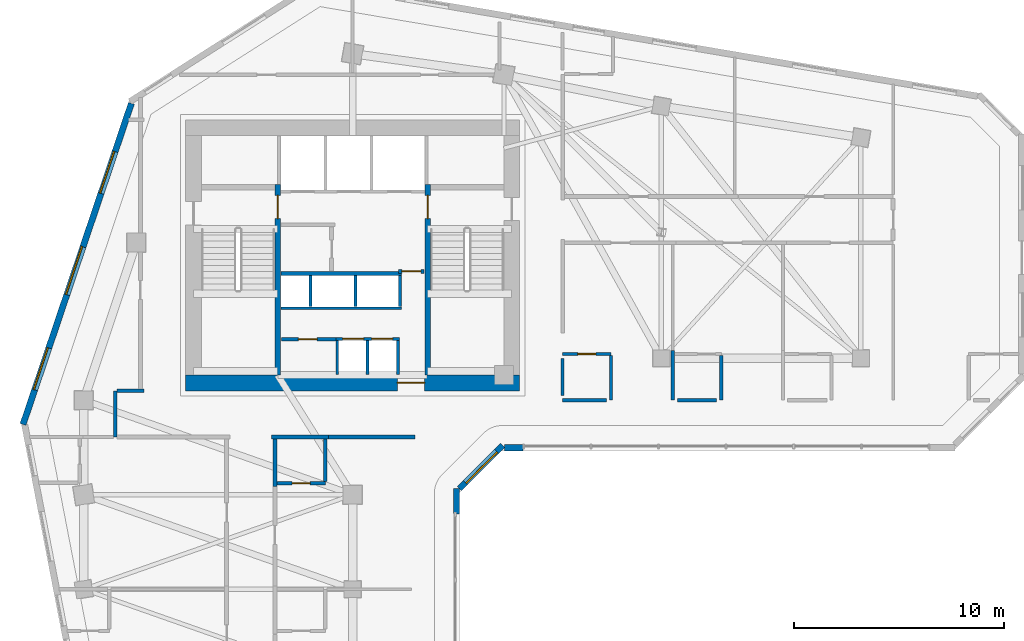
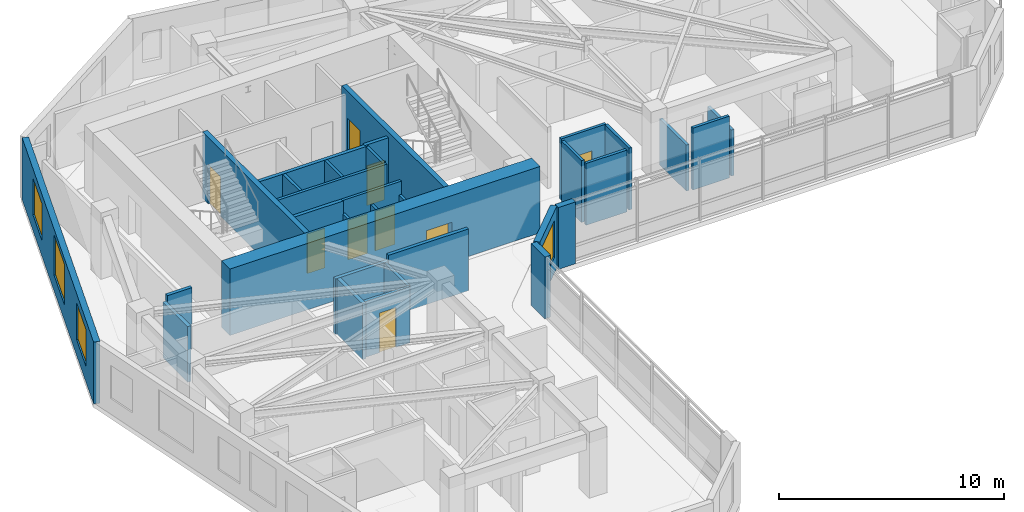
# One storey, part 6 of 14: 32 walls, 9 doors, 4 windows, 13 openings.
"""IFC4 building model written with IfcOpenShell, lengths in metres."""

import ifcopenshell
import ifcopenshell.guid

model = None  # the IFC model being written
_history = None  # IfcOwnerHistory: only IFC2X3 demands one
_inside = {}  # id of a spatial element -> (the spatial element, [elements in it])
_under = {}  # id of a project, library or spatial element -> (it, [spatial elements below it])
_declared = {}  # id of a project -> (the project, [libraries it declares])
_typed = {}  # id of a type object -> (the type object, [elements of that type])
_made_of = {}  # id of a material, layer set ... -> (it, [elements and type objects made of it])


def new_model(schema):
    """Start an empty IFC model of exactly this schema.

    Asked for "IFC4X3", IfcOpenShell would pick the latest addendum, in which some entities
    have other attributes; the version numbers below select the first issue.
    IFC2X3 requires an IfcOwnerHistory on every rooted entity: one is made here for all.
    """
    global model, _history
    if schema == "IFC4X3":
        model = ifcopenshell.file(schema_version=(4, 3, 0, 0))
    else:
        model = ifcopenshell.file(schema=schema)
    _inside.clear()
    _under.clear()
    _declared.clear()
    _typed.clear()
    _made_of.clear()
    _history = None
    if model.schema == "IFC2X3":
        org = make("IfcOrganization", Name="unknown")
        user = make(
            "IfcPersonAndOrganization",
            ThePerson=make("IfcPerson", FamilyName="unknown"),
            TheOrganization=org,
        )
        app = make(
            "IfcApplication",
            ApplicationDeveloper=org,
            Version="unknown",
            ApplicationFullName="unknown",
            ApplicationIdentifier="unknown",
        )
        _history = make(
            "IfcOwnerHistory",
            OwningUser=user,
            OwningApplication=app,
            ChangeAction="ADDED",
            CreationDate=0,
        )
    return model


def make(cls, **values):
    """One entity of the class cls with the attributes given. An attribute that is None is left unset."""
    return model.create_entity(
        cls, **{name: value for name, value in values.items() if value is not None}
    )


def rooted(cls, **values):
    """An entity with a GlobalId (a new one), such as an element, a storey or a relation."""
    return make(cls, GlobalId=ifcopenshell.guid.new(), OwnerHistory=_history, **values)


def si_unit(unit_type, name, prefix=None):
    """IfcSIUnit, for example si_unit("LENGTHUNIT", "METRE", prefix="MILLI")."""
    return make("IfcSIUnit", UnitType=unit_type, Prefix=prefix, Name=name)


def assignment(units):
    """IfcUnitAssignment: the units of a project."""
    return None if units is None else make("IfcUnitAssignment", Units=units)


def point(xyz):
    """IfcCartesianPoint."""
    return None if xyz is None else make("IfcCartesianPoint", Coordinates=xyz)


def direction(xyz):
    """IfcDirection."""
    return None if xyz is None else make("IfcDirection", DirectionRatios=xyz)


def frame(location, z_axis=None, x_axis=None):
    """IfcAxis2Placement3D, a coordinate frame: its origin and axes. An axis left out is left unset."""
    return make(
        "IfcAxis2Placement3D",
        Location=point(location),
        Axis=direction(z_axis),
        RefDirection=direction(x_axis),
    )


def frame_2d(location, x_axis=None):
    """IfcAxis2Placement2D, a coordinate frame in the plane: its origin and x axis."""
    return make(
        "IfcAxis2Placement2D", Location=point(location), RefDirection=direction(x_axis)
    )


def origin():
    """The frame at (0, 0, 0) with its axes left unset."""
    return frame((0.0, 0.0, 0.0))


def place(relative_to, where):
    """IfcLocalPlacement: puts the frame where relative to a parent placement (None: the world)."""
    return make(
        "IfcLocalPlacement", PlacementRelTo=relative_to, RelativePlacement=where
    )


def context(
    kind, dimensions, precision=None, world=None, true_north=None, identifier=None
):
    """IfcGeometricRepresentationContext, for example the 3D "Model" context."""
    return make(
        "IfcGeometricRepresentationContext",
        ContextIdentifier=identifier,
        ContextType=kind,
        CoordinateSpaceDimension=dimensions,
        Precision=precision,
        WorldCoordinateSystem=world,
        TrueNorth=true_north,
    )


def subcontext(parent, identifier, kind, view, scale=None):
    """IfcGeometricRepresentationSubContext, for example "Body" below "Model"."""
    return make(
        "IfcGeometricRepresentationSubContext",
        ContextIdentifier=identifier,
        ContextType=kind,
        ParentContext=parent,
        TargetScale=scale,
        TargetView=view,
    )


def project(units=None, contexts=None):
    """IfcProject with its units and contexts."""
    return rooted(
        "IfcProject",
        Name="project",
        RepresentationContexts=contexts,
        UnitsInContext=assignment(units),
    )


def spatial(cls, under=None, at=None, **own):
    """A site, building, storey or space (cls), placed at a placement, below another one or the project."""
    s = rooted(cls, ObjectPlacement=at, **own)
    if under is not None:
        _under.setdefault(under.id(), (under, []))[1].append(s)
    return s


def profile(cls, at=None, kind="AREA", **sizes):
    """A parametric profile (cls). Its sizes go by their IFC names, for example OverallWidth=200.0."""
    return make(cls, ProfileType=kind, Position=at, **sizes)


def rectangle(**sizes):
    """IfcRectangleProfileDef."""
    return profile("IfcRectangleProfileDef", **sizes)


def extrude(swept, where, along, depth):
    """IfcExtrudedAreaSolid: the profile swept, set in the frame where, extruded along a direction by depth."""
    return make(
        "IfcExtrudedAreaSolid",
        SweptArea=swept,
        Position=where,
        ExtrudedDirection=direction(along),
        Depth=depth,
    )


def shape(context_of_items, identifier, shape_type, items):
    """IfcShapeRepresentation: the items that make up one representation, for example the "Body"."""
    return make(
        "IfcShapeRepresentation",
        ContextOfItems=context_of_items,
        RepresentationIdentifier=identifier,
        RepresentationType=shape_type,
        Items=items,
    )


def source(mapping_origin, context_of_items, identifier, shape_type, items):
    """IfcRepresentationMap: a shape defined once, which mapped items show again and again."""
    return make(
        "IfcRepresentationMap",
        MappingOrigin=mapping_origin,
        MappedRepresentation=shape(context_of_items, identifier, shape_type, items),
    )


def transform(
    local_origin,
    x_axis=None,
    y_axis=None,
    z_axis=None,
    scale=None,
    scale2=None,
    scale3=None,
    uniform=True,
):
    """IfcCartesianTransformationOperator3D, or its non-uniform kind. x_axis, y_axis, z_axis: its Axis1, 2, 3."""
    if uniform:
        return make(
            "IfcCartesianTransformationOperator3D",
            Axis1=direction(x_axis),
            Axis2=direction(y_axis),
            LocalOrigin=point(local_origin),
            Scale=scale,
            Axis3=direction(z_axis),
        )
    return make(
        "IfcCartesianTransformationOperator3DnonUniform",
        Axis1=direction(x_axis),
        Axis2=direction(y_axis),
        LocalOrigin=point(local_origin),
        Scale=scale,
        Axis3=direction(z_axis),
        Scale2=scale2,
        Scale3=scale3,
    )


def mapped(mapping_source, mapping_target):
    """IfcMappedItem: shows the shape of a source again, moved by a transform."""
    return make(
        "IfcMappedItem", MappingSource=mapping_source, MappingTarget=mapping_target
    )


def material(Name=None, Category=None):
    """IfcMaterial."""
    return make("IfcMaterial", Name=Name, Category=Category)


def layer(
    of_material, thickness, ventilated=None, Name=None, Category=None, Priority=None
):
    """IfcMaterialLayer: one layer of a wall or slab, of a material (None: an air gap)."""
    return make(
        "IfcMaterialLayer",
        Material=of_material,
        LayerThickness=thickness,
        IsVentilated=ventilated,
        Name=Name,
        Category=Category,
        Priority=Priority,
    )


def layer_set(layers, Name=None):
    """IfcMaterialLayerSet."""
    return make("IfcMaterialLayerSet", MaterialLayers=layers, LayerSetName=Name)


def made_of(thing, what):
    """Note that an element or type object is made of a material, layer set ...; save() writes the relation."""
    if what is not None:
        _made_of.setdefault(what.id(), (what, []))[1].append(thing)
    return thing


def type_object(cls, material=None, **own):
    """A type object (cls), such as IfcWallType, which elements share."""
    return made_of(rooted(cls, **own), material)


def element(
    cls,
    number,
    at=None,
    inside=None,
    cuts=None,
    type_object=None,
    material=None,
    context=None,
    identifier="Body",
    shape_type=None,
    held_by="IfcProductDefinitionShape",
    body=None,
    shapes=None,
    **own,
):
    """One element of the class cls, such as IfcWall. Its Tag is "e" and its number.

    at: its placement. inside: the storey or other place that contains it. cuts: it is an
    opening in that element (IfcRelVoidsElement). A single representation is given by context,
    identifier, shape_type and body (its items); several are given by shapes. held_by: the class
    of the entity that holds the representations. save() writes the other relations.
    """
    e = rooted(cls, Tag="e%d" % number, ObjectPlacement=at, **own)
    if body is not None:
        shapes = [shape(context, identifier, shape_type, body)]
    if shapes is not None:
        e.Representation = make(held_by, Representations=shapes)
    if inside is not None:
        _inside.setdefault(inside.id(), (inside, []))[1].append(e)
    if cuts is not None:
        rooted(
            "IfcRelVoidsElement", RelatingBuildingElement=cuts, RelatedOpeningElement=e
        )
    if type_object is not None:
        _typed.setdefault(type_object.id(), (type_object, []))[1].append(e)
    return made_of(e, material)


def fill(opening, filler):
    """IfcRelFillsElement: the door or window that sits in an opening."""
    return rooted(
        "IfcRelFillsElement",
        RelatingOpeningElement=opening,
        RelatedBuildingElement=filler,
    )


def aggregate(whole, parts):
    """IfcRelAggregates: a whole, such as a stair, and the parts it consists of."""
    return rooted("IfcRelAggregates", RelatingObject=whole, RelatedObjects=parts)


def save(model, path):
    """Write the relations noted so far, then the file.

    IfcRelAggregates (storeys below a building ...), IfcRelContainedInSpatialStructure (elements
    in a storey), IfcRelDefinesByType, IfcRelAssociatesMaterial and IfcRelDeclares: one each for
    every whole, place, type object, material and project.
    """
    for whole, parts in _under.values():
        aggregate(whole, parts)
    for where, things in _inside.values():
        rooted(
            "IfcRelContainedInSpatialStructure",
            RelatedElements=things,
            RelatingStructure=where,
        )
    for kind, things in _typed.values():
        rooted("IfcRelDefinesByType", RelatedObjects=things, RelatingType=kind)
    for what, things in _made_of.values():
        rooted("IfcRelAssociatesMaterial", RelatedObjects=things, RelatingMaterial=what)
    for by, libraries in _declared.values():
        rooted("IfcRelDeclares", RelatingContext=by, RelatedDefinitions=libraries)
    model.write(path)


model = new_model("IFC4")

# Units and contexts
model_context = context("Model", 3, precision=1e-05, world=origin(), true_north=direction((0.0, 1.0)))
body_context = subcontext(model_context, "Body", "Model", "MODEL_VIEW")
ifc_project = project(units=[si_unit("LENGTHUNIT", "METRE"), si_unit("AREAUNIT", "SQUARE_METRE"), si_unit("VOLUMEUNIT", "CUBIC_METRE"), si_unit("PLANEANGLEUNIT", "RADIAN"), si_unit("MASSUNIT", "GRAM", prefix="KILO")], contexts=[model_context])

# Site, building, storey
site_placement = place(None, origin())
site = spatial("IfcSite", under=ifc_project, at=site_placement, CompositionType="ELEMENT")
building_placement = place(site_placement, origin())
building = spatial("IfcBuilding", under=site, at=building_placement, Name="Calvemar Wedge Station Tower", CompositionType="ELEMENT")
storey_placement = place(building_placement, frame((0.0, 0.0, 128.60009765625)))
storey = spatial("IfcBuildingStorey", under=building, at=storey_placement, Name="L31", CompositionType="ELEMENT", Elevation=128.60009765625)

# Wall, opening, door
ifc_material_1 = material(Name="Concrete C50", Category="concrete")
ifc_layer_1 = layer(ifc_material_1, 0.260009765625)
ifc_layer_set_1 = layer_set([ifc_layer_1], Name="Concrete C50")
wall_type_1 = type_object("IfcWallType", Name="SW-CORE-260", PredefinedType="SHEAR", material=ifc_layer_set_1)
wall_1_placement = place(storey_placement, frame((20.22998046875, 34.199951171875, 0.0), z_axis=(0.0, 0.0, 1.0), x_axis=(0.0, 1.0, 0.0)))
wall_1 = element("IfcWall", 1, at=wall_1_placement, inside=storey, type_object=wall_type_1, Name="Storey L31 Core Shear Wall SPINE-W", PredefinedType="SHEAR", context=body_context, shape_type="SweptSolid", body=[
    extrude(rectangle(XDim=9.06005859375, YDim=0.260009765625, at=frame_2d((4.530029296875, 0.0))), origin(), (0.0, 0.0, 1.0), 3.599853515625),
])
shared_shape_1 = source(origin(), body_context, "Body", "SweptSolid", [
    extrude(rectangle(XDim=1.10009765625, YDim=2.14990234375, at=frame_2d((0.550048828125, 1.074951171875))), frame((0.0, 0.14013671875, 0.0), z_axis=(0.0, -1.0, 0.0), x_axis=(1.0, 0.0, 0.0)), (0.0, 0.0, 1.0), 0.280029296875),
])
opening_1_placement = place(wall_1_placement, frame((7.449951171875, 0.0, 0.0)))
opening_1 = element("IfcOpeningElement", 2, at=opening_1_placement, cuts=wall_1, Name="Opening FD-90", PredefinedType="OPENING", context=body_context, shape_type="MappedRepresentation", body=[
    mapped(shared_shape_1, transform((0.0, 0.0, 0.0), scale=1.0)),
])
ifc_material_2 = material(Name="Galvanized fire-rated steel door leaf P-90", Category="steel")
door_type_1 = type_object("IfcDoorType", Name="DR-FD90-1100", OperationType="NOTDEFINED", PredefinedType="DOOR", material=ifc_material_2)
shared_shape_2 = source(origin(), body_context, "Body", "SweptSolid", [
    extrude(rectangle(XDim=1.10009765625, YDim=2.14990234375, at=frame_2d((0.550048828125, 1.074951171875))), frame((0.0, 0.02490234375, 0.0), z_axis=(0.0, -1.0, 0.0), x_axis=(1.0, 0.0, 0.0)), (0.0, 0.0, 1.0), 0.050048828125),
])
door_1_placement = place(opening_1_placement, origin())
door_1 = element("IfcDoor", 3, at=door_1_placement, inside=storey, type_object=door_type_1, Name="L31 FF Lobby to Stair ST-C1 Door", OperationType="SINGLE_SWING_RIGHT", OverallHeight=2.14990234375, OverallWidth=1.10009765625, PredefinedType="DOOR", context=body_context, shape_type="MappedRepresentation", body=[
    mapped(shared_shape_2, transform((0.0, 0.0, 0.0), scale=1.0)),
])
fill(opening_1, door_1)

wall_2_placement = place(storey_placement, frame((27.3701171875, 34.199951171875, 0.0), z_axis=(0.0, 0.0, 1.0), x_axis=(0.0, 1.0, 0.0)))
wall_2 = element("IfcWall", 4, at=wall_2_placement, inside=storey, type_object=wall_type_1, Name="Storey L31 Core Shear Wall SPINE-E", PredefinedType="SHEAR", context=body_context, shape_type="SweptSolid", body=[
    extrude(rectangle(XDim=9.06005859375, YDim=0.260009765625, at=frame_2d((4.530029296875, 0.0))), origin(), (0.0, 0.0, 1.0), 3.599853515625),
])
opening_2_placement = place(wall_2_placement, frame((7.449951171875, 0.0, 0.0)))
opening_2 = element("IfcOpeningElement", 5, at=opening_2_placement, cuts=wall_2, Name="Opening FD-90", PredefinedType="OPENING", context=body_context, shape_type="MappedRepresentation", body=[
    mapped(shared_shape_1, transform((0.0, 0.0, 0.0), scale=1.0)),
])
door_2_placement = place(opening_2_placement, origin())
door_2 = element("IfcDoor", 6, at=door_2_placement, inside=storey, type_object=door_type_1, Name="L31 FF Lobby to Stair ST-C2 Door", OperationType="SINGLE_SWING_LEFT", OverallHeight=2.14990234375, OverallWidth=1.10009765625, PredefinedType="DOOR", context=body_context, shape_type="MappedRepresentation", body=[
    mapped(shared_shape_2, transform((0.0, 0.0, 0.0), scale=1.0)),
])
fill(opening_2, door_2)

ifc_material_3 = material(Name="Concrete C70", Category="concrete")
ifc_layer_2 = layer(ifc_material_3, 0.75)
ifc_layer_set_2 = layer_set([ifc_layer_2], Name="Concrete C70")
wall_type_2 = type_object("IfcWallType", Name="SW-CORE-750", PredefinedType="SHEAR", material=ifc_layer_set_2)
wall_3_placement = place(storey_placement, frame((15.85009765625, 33.824951171875, 0.0), z_axis=(0.0, 0.0, 1.0), x_axis=(1.0, 0.0, 0.0)))
wall_3 = element("IfcWall", 7, at=wall_3_placement, inside=storey, type_object=wall_type_2, Name="Storey L31 Core Shear Wall S", PredefinedType="SHEAR", context=body_context, shape_type="SweptSolid", body=[
    extrude(rectangle(XDim=15.89990234375, YDim=0.75, at=frame_2d((7.949951171875, 0.0))), origin(), (0.0, 0.0, 1.0), 3.599853515625),
])
shared_shape_3 = source(origin(), body_context, "Body", "SweptSolid", [
    extrude(rectangle(XDim=1.300048828125, YDim=2.14990234375, at=frame_2d((0.64990234375, 1.074951171875))), frame((0.0, 0.385009765625, 0.0), z_axis=(0.0, -1.0, 0.0), x_axis=(1.0, 0.0, 0.0)), (0.0, 0.0, 1.0), 0.77001953125),
])
opening_3_placement = place(wall_3_placement, frame((10.080078125, 0.0, 0.0)))
opening_3 = element("IfcOpeningElement", 8, at=opening_3_placement, cuts=wall_3, Name="Opening DD-130", PredefinedType="OPENING", context=body_context, shape_type="MappedRepresentation", body=[
    mapped(shared_shape_3, transform((0.0, 0.0, 0.0), scale=1.0)),
])
ifc_material_4 = material(Name="Double-leaf lift lobby fire door EI 60")
door_type_2 = type_object("IfcDoorType", Name="DR-DBL-1300", OperationType="DOUBLE_DOOR_SINGLE_SWING", PredefinedType="DOOR", material=ifc_material_4)
shared_shape_4 = source(origin(), body_context, "Body", "SweptSolid", [
    extrude(rectangle(XDim=1.300048828125, YDim=2.14990234375, at=frame_2d((0.64990234375, 1.074951171875))), frame((0.0, 0.02490234375, 0.0), z_axis=(0.0, -1.0, 0.0), x_axis=(1.0, 0.0, 0.0)), (0.0, 0.0, 1.0), 0.050048828125),
])
door_3_placement = place(opening_3_placement, origin())
door_3 = element("IfcDoor", 9, at=door_3_placement, inside=storey, type_object=door_type_2, Name="L31 Passenger Lift Lobby Door", OperationType="DOUBLE_DOOR_SINGLE_SWING", OverallHeight=2.14990234375, OverallWidth=1.300048828125, PredefinedType="DOOR", context=body_context, shape_type="MappedRepresentation", body=[
    mapped(shared_shape_4, transform((0.0, 0.0, 0.0), scale=1.0)),
])
fill(opening_3, door_3)

ifc_material_5 = material(Name="Double-stud fire-rated corridor partition")
ifc_layer_3 = layer(ifc_material_5, 0.179931640625)
ifc_layer_set_3 = layer_set([ifc_layer_3], Name="Double-stud fire-rated corridor partition")
wall_type_3 = type_object("IfcWallType", Name="W-CORR-180", PredefinedType="PARTITIONING", material=ifc_layer_set_3)
wall_4_placement = place(storey_placement, frame((27.199951171875, 39.1298828125, 0.0), z_axis=(0.0, 0.0, 1.0), x_axis=(-1.0, 0.0, 0.0)))
wall_4 = element("IfcWall", 10, at=wall_4_placement, inside=storey, type_object=wall_type_3, Name="Storey L31 Interior Partition WL-L31-003", PredefinedType="PARTITIONING", context=body_context, shape_type="SweptSolid", body=[
    extrude(rectangle(XDim=1.2099609375, YDim=0.179931640625, at=frame_2d((0.60498046875, 0.0))), origin(), (0.0, 0.0, 1.0), 3.349853515625),
])
shared_shape_5 = source(origin(), body_context, "Body", "SweptSolid", [
    extrude(rectangle(XDim=0.89990234375, YDim=2.14990234375, at=frame_2d((0.449951171875, 1.074951171875))), frame((0.0, 0.10009765625, 0.0), z_axis=(0.0, -1.0, 0.0), x_axis=(1.0, 0.0, 0.0)), (0.0, 0.0, 1.0), 0.199951171875),
])
opening_4_placement = place(wall_4_placement, frame((0.155029296875, 0.0, 0.0)))
opening_4 = element("IfcOpeningElement", 11, at=opening_4_placement, cuts=wall_4, Name="Opening FD-60", PredefinedType="OPENING", context=body_context, shape_type="MappedRepresentation", body=[
    mapped(shared_shape_5, transform((0.0, 0.0, 0.0), scale=1.0)),
])
ifc_material_6 = material(Name="Fire-rated acoustic timber-core entrance door EI 60", Category="wood")
door_type_3 = type_object("IfcDoorType", Name="DR-FD60-900", OperationType="NOTDEFINED", PredefinedType="DOOR", material=ifc_material_6)
shared_shape_6 = source(origin(), body_context, "Body", "SweptSolid", [
    extrude(rectangle(XDim=0.89990234375, YDim=2.14990234375, at=frame_2d((0.449951171875, 1.074951171875))), frame((0.0, 0.02490234375, 0.0), z_axis=(0.0, -1.0, 0.0), x_axis=(1.0, 0.0, 0.0)), (0.0, 0.0, 1.0), 0.050048828125),
])
door_4_placement = place(opening_4_placement, origin())
door_4 = element("IfcDoor", 12, at=door_4_placement, inside=storey, type_object=door_type_3, Name="L31 Core Service Lobby Door", OperationType="SINGLE_SWING_LEFT", OverallHeight=2.14990234375, OverallWidth=0.89990234375, PredefinedType="DOOR", context=body_context, shape_type="MappedRepresentation", body=[
    mapped(shared_shape_6, transform((0.0, 0.0, 0.0), scale=1.0)),
])
fill(opening_4, door_4)

wall_5_placement = place(storey_placement, frame((20.419921875, 35.89990234375, 0.0), z_axis=(0.0, 0.0, 1.0), x_axis=(1.0, 0.0, 0.0)))
wall_5 = element("IfcWall", 13, at=wall_5_placement, inside=storey, type_object=wall_type_3, Name="Storey L31 Interior Partition WL-L31-004", PredefinedType="PARTITIONING", context=body_context, shape_type="SweptSolid", body=[
    extrude(rectangle(XDim=2.6201171875, YDim=0.179931640625, at=frame_2d((1.31005859375, 0.0))), origin(), (0.0, 0.0, 1.0), 3.349853515625),
])
opening_5_placement = place(wall_5_placement, frame((0.795654296875, 0.0, 0.0)))
opening_5 = element("IfcOpeningElement", 14, at=opening_5_placement, cuts=wall_5, Name="Opening FD-60", PredefinedType="OPENING", context=body_context, shape_type="MappedRepresentation", body=[
    mapped(shared_shape_5, transform((0.0, 0.0, 0.0), scale=1.0)),
])
door_5_placement = place(opening_5_placement, origin())
door_5 = element("IfcDoor", 15, at=door_5_placement, inside=storey, type_object=door_type_3, Name="L31 Housekeeping Store Door", OperationType="SINGLE_SWING_RIGHT", OverallHeight=2.14990234375, OverallWidth=0.89990234375, PredefinedType="DOOR", context=body_context, shape_type="MappedRepresentation", body=[
    mapped(shared_shape_6, transform((0.0, 0.0, 0.0), scale=1.0)),
])
fill(opening_5, door_5)

# Walls
wall_6_placement = place(storey_placement, frame((12.5, 31.25, 0.0), z_axis=(0.0, 0.0, 1.0), x_axis=(0.0, 1.0, 0.0)))
element("IfcWall", 16, at=wall_6_placement, inside=storey, type_object=wall_type_3, Name="Storey L31 Interior Partition WL-L31-005", PredefinedType="PARTITIONING", context=body_context, shape_type="SweptSolid", body=[
    extrude(rectangle(XDim=2.199951171875, YDim=0.179931640625, at=frame_2d((1.10009765625, 0.0))), origin(), (0.0, 0.0, 1.0), 3.018798828125),
])
wall_7_placement = place(storey_placement, frame((12.593994140625, 33.449951171875, 0.0), z_axis=(0.0, 0.0, 1.0), x_axis=(1.0, 0.0, 0.0)))
element("IfcWall", 17, at=wall_7_placement, inside=storey, type_object=wall_type_3, Name="Storey L31 Interior Partition WL-L31-006", PredefinedType="PARTITIONING", context=body_context, shape_type="SweptSolid", body=[
    extrude(rectangle(XDim=1.26611328125, YDim=0.179931640625, at=frame_2d((0.633056640625, 0.0))), origin(), (0.0, 0.0, 1.0), 3.349853515625),
])
wall_8_placement = place(storey_placement, frame((22.659912109375, 31.25, 0.0), z_axis=(0.0, 0.0, 1.0), x_axis=(-1.0, 0.0, 0.0)))
element("IfcWall", 18, at=wall_8_placement, inside=storey, type_object=wall_type_3, Name="Storey L31 Interior Partition WL-L31-008", PredefinedType="PARTITIONING", context=body_context, shape_type="SweptSolid", body=[
    extrude(rectangle(XDim=2.719970703125, YDim=0.179931640625, at=frame_2d((1.35986328125, 0.0))), origin(), (0.0, 0.0, 1.0), 3.018798828125),
])
wall_9_placement = place(storey_placement, frame((26.760009765625, 31.25, 0.0), z_axis=(0.0, 0.0, 1.0), x_axis=(-1.0, 0.0, 0.0)))
element("IfcWall", 19, at=wall_9_placement, inside=storey, type_object=wall_type_3, Name="Storey L31 Interior Partition WL-L31-009", PredefinedType="PARTITIONING", context=body_context, shape_type="SweptSolid", body=[
    extrude(rectangle(XDim=4.097900390625, YDim=0.179931640625, at=frame_2d((2.048828125, 0.0))), origin(), (0.0, 0.0, 1.0), 3.349853515625),
])
wall_10_placement = place(storey_placement, frame((20.10009765625, 31.156005859375, 0.0), z_axis=(0.0, 0.0, 1.0), x_axis=(0.0, -1.0, 0.0)))
element("IfcWall", 20, at=wall_10_placement, inside=storey, type_object=wall_type_3, Name="Storey L31 Interior Partition WL-L31-050", PredefinedType="PARTITIONING", context=body_context, shape_type="SweptSolid", body=[
    extrude(rectangle(XDim=2.26611328125, YDim=0.179931640625, at=frame_2d((1.133056640625, 0.0))), origin(), (0.0, 0.0, 1.0), 3.018798828125),
])
ifc_material_7 = material(Name="Precast concrete C45", Category="concrete")
ifc_layer_4 = layer(ifc_material_7, 0.300048828125)
ifc_layer_set_4 = layer_set([ifc_layer_4], Name="Precast concrete C45")
wall_type_4 = type_object("IfcWallType", Name="W-EXT-GFRC-300", PredefinedType="SOLIDWALL", material=ifc_layer_set_4)
wall_11_placement = place(storey_placement, frame((28.74609375, 27.57666015625, 0.0), z_axis=(0.0, 0.0, 1.0), x_axis=(0.0, 1.0, 0.0)))
element("IfcWall", 21, at=wall_11_placement, inside=storey, type_object=wall_type_4, Name="Storey L31 Bronze GFRC Corner Pier 4B", PredefinedType="SOLIDWALL", context=body_context, shape_type="SweptSolid", body=[
    extrude(rectangle(XDim=1.2275390625, YDim=0.300048828125, at=frame_2d((0.61376953125, 0.0))), origin(), (0.0, 0.0, 1.0), 3.349853515625),
])

# Wall, opening, window
wall_12_placement = place(storey_placement, frame((28.884033203125, 28.7919921875, 0.0), z_axis=(0.0, 0.0, 1.0), x_axis=(0.707064797706, 0.707148762175, 0.0)))
wall_12 = element("IfcWall", 22, at=wall_12_placement, inside=storey, type_object=wall_type_4, Name="Storey L31 Bronze GFRC Exterior Wall 5", PredefinedType="SOLIDWALL", context=body_context, shape_type="SweptSolid", body=[
    extrude(rectangle(XDim=2.90771484375, YDim=0.300048828125, at=frame_2d((1.453857421875, 0.0))), origin(), (0.0, 0.0, 1.0), 3.349853515625),
])
shared_shape_7 = source(origin(), body_context, "Body", "SweptSolid", [
    extrude(rectangle(XDim=2.10009765625, YDim=2.0, at=frame_2d((1.050048828125, 1.0))), frame((0.0, 0.16015625, 0.0), z_axis=(0.0, -1.0, 0.0), x_axis=(1.0, 0.0, 0.0)), (0.0, 0.0, 1.0), 0.320068359375),
])
opening_6_placement = place(wall_12_placement, frame((0.404052734375, 0.0, 0.85009765625)))
opening_6 = element("IfcOpeningElement", 23, at=opening_6_placement, cuts=wall_12, Name="Opening W4", PredefinedType="OPENING", context=body_context, shape_type="MappedRepresentation", body=[
    mapped(shared_shape_7, transform((0.0, 0.0, 0.0), scale=1.0)),
])
ifc_material_8 = material(Name="Low-E laminated insulated glass", Category="glass")
window_type_1 = type_object("IfcWindowType", Name="WIN-EXT-4", PartitioningType="SINGLE_PANEL", PredefinedType="WINDOW", material=ifc_material_8)
shared_shape_8 = source(origin(), body_context, "Body", "SweptSolid", [
    extrude(rectangle(XDim=2.10009765625, YDim=2.0, at=frame_2d((1.050048828125, 1.0))), frame((0.0, -0.014892578125, 0.0), z_axis=(0.0, -1.0, 0.0), x_axis=(1.0, 0.0, 0.0)), (0.0, 0.0, 1.0), 0.06005859375),
])
window_1_placement = place(opening_6_placement, origin())
window_1 = element("IfcWindow", 24, at=window_1_placement, inside=storey, type_object=window_type_1, Name="Storey L31 Recessed Window 5.1", OverallHeight=2.0, OverallWidth=2.10009765625, PartitioningType="SINGLE_PANEL", PredefinedType="WINDOW", context=body_context, shape_type="MappedRepresentation", body=[
    mapped(shared_shape_8, transform((0.0, 0.0, 0.0), scale=1.0)),
])
fill(opening_6, window_1)

# Wall
wall_13_placement = place(storey_placement, frame((31.029052734375, 30.741943359375, 0.0), z_axis=(0.0, 0.0, 1.0), x_axis=(1.0, 0.0, 0.0)))
element("IfcWall", 25, at=wall_13_placement, inside=storey, type_object=wall_type_4, Name="Storey L31 Bronze GFRC Corner Pier 6A", PredefinedType="SOLIDWALL", context=body_context, shape_type="SweptSolid", body=[
    extrude(rectangle(XDim=0.88232421875, YDim=0.300048828125, at=frame_2d((0.441162109375, 0.0))), origin(), (0.0, 0.0, 1.0), 3.349853515625),
])

# Wall, openings, windows
wall_14_placement = place(storey_placement, frame((13.2685546875, 47.1337890625, 0.0), z_axis=(0.0, 0.0, 1.0), x_axis=(-0.319929596295, -0.947441319246, 0.0)))
wall_14 = element("IfcWall", 26, at=wall_14_placement, inside=storey, type_object=wall_type_4, Name="Storey L31 Bronze GFRC Exterior Wall 12", PredefinedType="SOLIDWALL", context=body_context, shape_type="SweptSolid", body=[
    extrude(rectangle(XDim=16.13427734375, YDim=0.300048828125, at=frame_2d((8.067138671875, 0.0))), origin(), (0.0, 0.0, 1.0), 3.349853515625),
])
opening_7_placement = place(wall_14_placement, frame((2.426025390625, 0.0, 0.85009765625)))
opening_7 = element("IfcOpeningElement", 27, at=opening_7_placement, cuts=wall_14, Name="Opening W4", PredefinedType="OPENING", context=body_context, shape_type="MappedRepresentation", body=[
    mapped(shared_shape_7, transform((0.0, 0.0, 0.0), scale=1.0)),
])
shared_shape_9 = source(origin(), body_context, "Body", "SweptSolid", [
    extrude(rectangle(XDim=2.39990234375, YDim=2.199951171875, at=frame_2d((1.199951171875, 1.10009765625))), frame((0.0, 0.16015625, 0.0), z_axis=(0.0, -1.0, 0.0), x_axis=(1.0, 0.0, 0.0)), (0.0, 0.0, 1.0), 0.320068359375),
])
opening_8_placement = place(wall_14_placement, frame((7.2109375, 0.0, 0.85009765625)))
opening_8 = element("IfcOpeningElement", 28, at=opening_8_placement, cuts=wall_14, Name="Opening W1", PredefinedType="OPENING", context=body_context, shape_type="MappedRepresentation", body=[
    mapped(shared_shape_9, transform((0.0, 0.0, 0.0), scale=1.0)),
])
opening_9_placement = place(wall_14_placement, frame((12.297119140625, 0.0, 0.85009765625)))
opening_9 = element("IfcOpeningElement", 29, at=opening_9_placement, cuts=wall_14, Name="Opening W4", PredefinedType="OPENING", context=body_context, shape_type="MappedRepresentation", body=[
    mapped(shared_shape_7, transform((0.0, 0.0, 0.0), scale=1.0)),
])
window_2_placement = place(opening_7_placement, origin())
window_2 = element("IfcWindow", 30, at=window_2_placement, inside=storey, type_object=window_type_1, Name="Storey L31 Recessed Window 12.1", OverallHeight=2.0, OverallWidth=2.10009765625, PartitioningType="SINGLE_PANEL", PredefinedType="WINDOW", context=body_context, shape_type="MappedRepresentation", body=[
    mapped(shared_shape_8, transform((0.0, 0.0, 0.0), scale=1.0)),
])
fill(opening_7, window_2)
window_3_placement = place(opening_9_placement, origin())
window_3 = element("IfcWindow", 31, at=window_3_placement, inside=storey, type_object=window_type_1, Name="Storey L31 Recessed Window 12.3", OverallHeight=2.0, OverallWidth=2.10009765625, PartitioningType="SINGLE_PANEL", PredefinedType="WINDOW", context=body_context, shape_type="MappedRepresentation", body=[
    mapped(shared_shape_8, transform((0.0, 0.0, 0.0), scale=1.0)),
])
fill(opening_9, window_3)
window_type_2 = type_object("IfcWindowType", Name="WIN-EXT-1", PartitioningType="SINGLE_PANEL", PredefinedType="WINDOW", material=ifc_material_8)
shared_shape_10 = source(origin(), body_context, "Body", "SweptSolid", [
    extrude(rectangle(XDim=2.39990234375, YDim=2.199951171875, at=frame_2d((1.199951171875, 1.10009765625))), frame((0.0, -0.014892578125, 0.0), z_axis=(0.0, -1.0, 0.0), x_axis=(1.0, 0.0, 0.0)), (0.0, 0.0, 1.0), 0.06005859375),
])
window_4_placement = place(opening_8_placement, origin())
window_4 = element("IfcWindow", 32, at=window_4_placement, inside=storey, type_object=window_type_2, Name="Storey L31 Recessed Window 12.2", OverallHeight=2.199951171875, OverallWidth=2.39990234375, PartitioningType="SINGLE_PANEL", PredefinedType="WINDOW", context=body_context, shape_type="MappedRepresentation", body=[
    mapped(shared_shape_10, transform((0.0, 0.0, 0.0), scale=1.0)),
])
fill(opening_8, window_4)

# Wall, openings, doors
ifc_material_9 = material(Name="Reinforced concrete blockwork lift shaft wall", Category="masonry")
ifc_layer_5 = layer(ifc_material_9, 0.139892578125)
ifc_layer_set_5 = layer_set([ifc_layer_5], Name="Reinforced concrete blockwork lift shaft wall")
wall_type_5 = type_object("IfcWallType", Name="W-LIFT-160", PredefinedType="SOLIDWALL", material=ifc_layer_set_5)
wall_15_placement = place(storey_placement, frame((23.0, 35.919921875, 0.0), z_axis=(0.0, 0.0, 1.0), x_axis=(1.0, 0.0, 0.0)))
wall_15 = element("IfcWall", 33, at=wall_15_placement, inside=storey, type_object=wall_type_5, Name="Storey L31 South Passenger Lift Bank Front Wall", PredefinedType="SOLIDWALL", context=body_context, shape_type="SweptSolid", body=[
    extrude(rectangle(XDim=3.030029296875, YDim=0.139892578125, at=frame_2d((1.51513671875, 0.0))), origin(), (0.0, 0.0, 1.0), 3.349853515625),
])
shared_shape_11 = source(origin(), body_context, "Body", "SweptSolid", [
    extrude(rectangle(XDim=1.0, YDim=2.14990234375, at=frame_2d((0.5, 1.074951171875))), frame((0.0, 0.080078125, 0.0), z_axis=(0.0, -1.0, 0.0), x_axis=(1.0, 0.0, 0.0)), (0.0, 0.0, 1.0), 0.159912109375),
])
opening_10_placement = place(wall_15_placement, frame((0.320068359375, 0.0, 0.0)))
opening_10 = element("IfcOpeningElement", 34, at=opening_10_placement, cuts=wall_15, Name="Opening LD-PAX", PredefinedType="OPENING", context=body_context, shape_type="MappedRepresentation", body=[
    mapped(shared_shape_11, transform((0.0, 0.0, 0.0), scale=1.0)),
])
opening_11_placement = place(wall_15_placement, frame((1.7099609375, 0.0, 0.0)))
opening_11 = element("IfcOpeningElement", 35, at=opening_11_placement, cuts=wall_15, Name="Opening LD-PAX", PredefinedType="OPENING", context=body_context, shape_type="MappedRepresentation", body=[
    mapped(shared_shape_11, transform((0.0, 0.0, 0.0), scale=1.0)),
])
ifc_material_10 = material(Name="Anodised bronze passenger lift sliding landing door")
door_type_4 = type_object("IfcDoorType", Name="DR-LD-PAX-1000", OperationType="SLIDING_TO_LEFT", PredefinedType="DOOR", material=ifc_material_10)
shared_shape_12 = source(origin(), body_context, "Body", "SweptSolid", [
    extrude(rectangle(XDim=1.0, YDim=2.14990234375, at=frame_2d((0.5, 1.074951171875))), frame((0.0, 0.02490234375, 0.0), z_axis=(0.0, -1.0, 0.0), x_axis=(1.0, 0.0, 0.0)), (0.0, 0.0, 1.0), 0.050048828125),
])
door_6_placement = place(opening_10_placement, origin())
door_6 = element("IfcDoor", 36, at=door_6_placement, inside=storey, type_object=door_type_4, Name="L31 Lift HL-01 Sliding Landing Door", OperationType="SLIDING_TO_LEFT", OverallHeight=2.14990234375, OverallWidth=1.0, PredefinedType="DOOR", context=body_context, shape_type="MappedRepresentation", body=[
    mapped(shared_shape_12, transform((0.0, 0.0, 0.0), scale=1.0)),
])
fill(opening_10, door_6)
door_7_placement = place(opening_11_placement, origin())
door_7 = element("IfcDoor", 37, at=door_7_placement, inside=storey, type_object=door_type_4, Name="L31 Lift HL-02 Sliding Landing Door", OperationType="SLIDING_TO_RIGHT", OverallHeight=2.14990234375, OverallWidth=1.0, PredefinedType="DOOR", context=body_context, shape_type="MappedRepresentation", body=[
    mapped(shared_shape_12, transform((0.0, 0.0, 0.0), scale=1.0)),
])
fill(opening_11, door_7)

# Walls
for number, where, z_axis, x_axis, name in (
    (38, (25.9599609375, 34.219970703125, 0.0), (0.0, 0.0, 1.0), (0.0, 1.0, 0.0), "Storey L31 South Passenger Lift Shaft Wall E"),
    (39, (23.070068359375, 34.219970703125, 0.0), (0.0, 0.0, 1.0), (0.0, 1.0, 0.0), "Storey L31 South Passenger Lift Shaft Wall W"),
    (40, (24.514892578125, 34.219970703125, 0.0), (0.0, 0.0, 1.0), (0.0, 1.0, 0.0), "Storey L31 South Passenger Lift Shaft Wall D1"),
):
    element("IfcWall", number, at=place(storey_placement, frame(where, z_axis=z_axis, x_axis=x_axis)), inside=storey, type_object=wall_type_5, Name=name, PredefinedType="SOLIDWALL", context=body_context, shape_type="SweptSolid", body=[
        extrude(rectangle(XDim=1.6201171875, YDim=0.139892578125, at=frame_2d((0.81005859375, 0.0))), origin(), (0.0, 0.0, 1.0), 2.641845703125),
    ])
wall_16_placement = place(storey_placement, frame((20.3798828125, 37.3798828125, 0.0), z_axis=(0.0, 0.0, 1.0), x_axis=(1.0, 0.0, 0.0)))
element("IfcWall", 41, at=wall_16_placement, inside=storey, type_object=wall_type_5, Name="Storey L31 Upper Passenger Lift Bank Front Wall", PredefinedType="SOLIDWALL", context=body_context, shape_type="SweptSolid", body=[
    extrude(rectangle(XDim=5.75, YDim=0.139892578125, at=frame_2d((2.875, 0.0))), origin(), (0.0, 0.0, 1.0), 3.349853515625),
])
for number, where, z_axis, x_axis, name in (
    (42, (26.06005859375, 37.4599609375, 0.0), (0.0, 0.0, 1.0), (0.0, 1.0, 0.0), "Storey L31 Upper Passenger Lift Shaft Wall E"),
    (43, (21.794921875, 37.4599609375, 0.0), (0.0, 0.0, 1.0), (0.0, 1.0, 0.0), "Storey L31 Upper Passenger Lift Shaft Wall D1"),
    (44, (23.93505859375, 37.4599609375, 0.0), (0.0, 0.0, 1.0), (0.0, 1.0, 0.0), "Storey L31 Upper Passenger Lift Shaft Wall D2"),
):
    element("IfcWall", number, at=place(storey_placement, frame(where, z_axis=z_axis, x_axis=x_axis)), inside=storey, type_object=wall_type_5, Name=name, PredefinedType="SOLIDWALL", context=body_context, shape_type="SweptSolid", body=[
        extrude(rectangle(XDim=1.47998046875, YDim=0.139892578125, at=frame_2d((0.739990234375, 0.0))), origin(), (0.0, 0.0, 1.0), 3.349853515625),
    ])
ifc_material_11 = material(Name="Concrete blockwork and fireboard shaft wall", Category="masonry")
ifc_layer_6 = layer(ifc_material_11, 0.199951171875)
ifc_layer_set_6 = layer_set([ifc_layer_6], Name="Concrete blockwork and fireboard shaft wall")
wall_type_6 = type_object("IfcWallType", Name="W-SHAFT-200", PredefinedType="SOLIDWALL", material=ifc_layer_set_6)
wall_17_placement = place(storey_placement, frame((20.3798828125, 39.0400390625, 0.0), z_axis=(0.0, 0.0, 1.0), x_axis=(1.0, 0.0, 0.0)))
element("IfcWall", 45, at=wall_17_placement, inside=storey, type_object=wall_type_6, Name="Storey L31 Upper Passenger Lift Bank Rear Shaft Wall", PredefinedType="SOLIDWALL", context=body_context, shape_type="SweptSolid", body=[
    extrude(rectangle(XDim=5.75, YDim=0.179931640625, at=frame_2d((2.875, 0.0))), origin(), (0.0, 0.0, 1.0), 3.349853515625),
])

# Wall, opening, door
ifc_material_12 = material(Name="Moisture-resistant acoustic bathroom partition")
ifc_layer_7 = layer(ifc_material_12, 0.14990234375)
ifc_layer_set_7 = layer_set([ifc_layer_7], Name="Moisture-resistant acoustic bathroom partition")
wall_type_7 = type_object("IfcWallType", Name="W-WET-150", PredefinedType="PARTITIONING", material=ifc_layer_set_7)
wall_18_placement = place(storey_placement, frame((33.800048828125, 35.199951171875, 0.0), z_axis=(0.0, 0.0, 1.0), x_axis=(1.0, 0.0, 0.0)))
wall_18 = element("IfcWall", 46, at=wall_18_placement, inside=storey, type_object=wall_type_7, Name="Storey L31 Interior Partition WL-L31-026", PredefinedType="PARTITIONING", context=body_context, shape_type="SweptSolid", body=[
    extrude(rectangle(XDim=2.307861328125, YDim=0.14990234375, at=frame_2d((1.15380859375, 0.0))), origin(), (0.0, 0.0, 1.0), 3.349853515625),
])
shared_shape_13 = source(origin(), body_context, "Body", "SweptSolid", [
    extrude(rectangle(XDim=0.85009765625, YDim=2.14990234375, at=frame_2d((0.425048828125, 1.074951171875))), frame((0.0, 0.0849609375, 0.0), z_axis=(0.0, -1.0, 0.0), x_axis=(1.0, 0.0, 0.0)), (0.0, 0.0, 1.0), 0.169921875),
])
opening_12_placement = place(wall_18_placement, frame((0.72900390625, 0.0, 0.0)))
opening_12 = element("IfcOpeningElement", 47, at=opening_12_placement, cuts=wall_18, Name="Opening D-02", PredefinedType="OPENING", context=body_context, shape_type="MappedRepresentation", body=[
    mapped(shared_shape_13, transform((0.0, 0.0, 0.0), scale=1.0)),
])
ifc_material_13 = material(Name="Moisture-sealed bathroom hardwood swing door", Category="wood")
door_type_5 = type_object("IfcDoorType", Name="DR-WET-850", OperationType="NOTDEFINED", PredefinedType="DOOR", material=ifc_material_13)
shared_shape_14 = source(origin(), body_context, "Body", "SweptSolid", [
    extrude(rectangle(XDim=0.85009765625, YDim=2.14990234375, at=frame_2d((0.425048828125, 1.074951171875))), frame((0.0, 0.02490234375, 0.0), z_axis=(0.0, -1.0, 0.0), x_axis=(1.0, 0.0, 0.0)), (0.0, 0.0, 1.0), 0.050048828125),
])
door_8_placement = place(opening_12_placement, origin())
door_8 = element("IfcDoor", 48, at=door_8_placement, inside=storey, type_object=door_type_5, Name="L31 En-Suite Bathroom Door", OperationType="SINGLE_SWING_RIGHT", OverallHeight=2.14990234375, OverallWidth=0.85009765625, PredefinedType="DOOR", context=body_context, shape_type="MappedRepresentation", body=[
    mapped(shared_shape_14, transform((0.0, 0.0, 0.0), scale=1.0)),
])
fill(opening_12, door_8)

# Walls
wall_19_placement = place(storey_placement, frame((36.10791015625, 35.12109375, 0.0), z_axis=(0.0, 0.0, 1.0), x_axis=(0.0, -1.0, 0.0)))
element("IfcWall", 49, at=wall_19_placement, inside=storey, type_object=wall_type_7, Name="Storey L31 Interior Partition WL-L31-027", PredefinedType="PARTITIONING", context=body_context, shape_type="SweptSolid", body=[
    extrude(rectangle(XDim=2.12109375, YDim=0.14990234375, at=frame_2d((1.060546875, 0.0))), origin(), (0.0, 0.0, 1.0), 3.349853515625),
])
wall_20_placement = place(storey_placement, frame((39.044921875, 35.360107421875, 0.0), z_axis=(0.0, 0.0, 1.0), x_axis=(0.0, -1.0, 0.0)))
element("IfcWall", 50, at=wall_20_placement, inside=storey, type_object=wall_type_7, Name="Storey L31 Interior Partition WL-L31-028", PredefinedType="PARTITIONING", context=body_context, shape_type="SweptSolid", body=[
    extrude(rectangle(XDim=2.360107421875, YDim=0.14990234375, at=frame_2d((1.18017578125, 0.0))), origin(), (0.0, 0.0, 1.0), 2.491943359375),
])
wall_21_placement = place(storey_placement, frame((41.35302734375, 35.12109375, 0.0), z_axis=(0.0, 0.0, 1.0), x_axis=(0.0, -1.0, 0.0)))
element("IfcWall", 51, at=wall_21_placement, inside=storey, type_object=wall_type_7, Name="Storey L31 Interior Partition WL-L31-031", PredefinedType="PARTITIONING", context=body_context, shape_type="SweptSolid", body=[
    extrude(rectangle(XDim=2.12109375, YDim=0.14990234375, at=frame_2d((1.060546875, 0.0))), origin(), (0.0, 0.0, 1.0), 2.491943359375),
])

# Wall, opening, door
wall_22_placement = place(storey_placement, frame((22.5, 29.050048828125, 0.0), z_axis=(0.0, 0.0, 1.0), x_axis=(-1.0, 0.0, 0.0)))
wall_22 = element("IfcWall", 52, at=wall_22_placement, inside=storey, type_object=wall_type_7, Name="Storey L31 Interior Partition WL-L31-070", PredefinedType="PARTITIONING", context=body_context, shape_type="SweptSolid", body=[
    extrude(rectangle(XDim=2.305908203125, YDim=0.14990234375, at=frame_2d((1.15283203125, 0.0))), origin(), (0.0, 0.0, 1.0), 3.018798828125),
])
opening_13_placement = place(wall_22_placement, frame((0.72802734375, 0.0, 0.0)))
opening_13 = element("IfcOpeningElement", 53, at=opening_13_placement, cuts=wall_22, Name="Opening D-02", PredefinedType="OPENING", context=body_context, shape_type="MappedRepresentation", body=[
    mapped(shared_shape_13, transform((0.0, 0.0, 0.0), scale=1.0)),
])
door_9_placement = place(opening_13_placement, origin())
door_9 = element("IfcDoor", 54, at=door_9_placement, inside=storey, type_object=door_type_5, Name="L31 En-Suite Bathroom Door", OperationType="SINGLE_SWING_LEFT", OverallHeight=2.14990234375, OverallWidth=0.85009765625, PredefinedType="DOOR", context=body_context, shape_type="MappedRepresentation", body=[
    mapped(shared_shape_14, transform((0.0, 0.0, 0.0), scale=1.0)),
])
fill(opening_13, door_9)

# Walls
wall_23_placement = place(storey_placement, frame((22.5, 31.156005859375, 0.0), z_axis=(0.0, 0.0, 1.0), x_axis=(0.0, -1.0, 0.0)))
element("IfcWall", 55, at=wall_23_placement, inside=storey, type_object=wall_type_7, Name="Storey L31 Interior Partition WL-L31-071", PredefinedType="PARTITIONING", context=body_context, shape_type="SweptSolid", body=[
    extrude(rectangle(XDim=2.027099609375, YDim=0.14990234375, at=frame_2d((1.013671875, 0.0))), origin(), (0.0, 0.0, 1.0), 3.018798828125),
])
wall_24_placement = place(storey_placement, frame((35.887939453125, 33.0, 0.0), z_axis=(0.0, 0.0, 1.0), x_axis=(-1.0, 0.0, 0.0)))
element("IfcWall", 56, at=wall_24_placement, inside=storey, type_object=wall_type_7, Name="Storey L31 Bathroom Enclosure Wall WL-L31-073", PredefinedType="PARTITIONING", context=body_context, shape_type="SweptSolid", body=[
    extrude(rectangle(XDim=2.087890625, YDim=0.14990234375, at=frame_2d((1.0439453125, 0.0))), origin(), (0.0, 0.0, 1.0), 3.349853515625),
])
wall_25_placement = place(storey_placement, frame((33.800048828125, 33.219970703125, 0.0), z_axis=(0.0, 0.0, 1.0), x_axis=(0.0, 1.0, 0.0)))
element("IfcWall", 57, at=wall_25_placement, inside=storey, type_object=wall_type_7, Name="Storey L31 Bathroom Enclosure Wall WL-L31-074", PredefinedType="PARTITIONING", context=body_context, shape_type="SweptSolid", body=[
    extrude(rectangle(XDim=1.760009765625, YDim=0.14990234375, at=frame_2d((0.8798828125, 0.0))), origin(), (0.0, 0.0, 1.0), 3.349853515625),
])
wall_26_placement = place(storey_placement, frame((41.133056640625, 33.0, 0.0), z_axis=(0.0, 0.0, 1.0), x_axis=(-1.0, 0.0, 0.0)))
element("IfcWall", 58, at=wall_26_placement, inside=storey, type_object=wall_type_7, Name="Storey L31 Bathroom Enclosure Wall WL-L31-075", PredefinedType="PARTITIONING", context=body_context, shape_type="SweptSolid", body=[
    extrude(rectangle(XDim=1.8681640625, YDim=0.14990234375, at=frame_2d((0.93408203125, 0.0))), origin(), (0.0, 0.0, 1.0), 3.349853515625),
])

save(model, "model.ifc")
